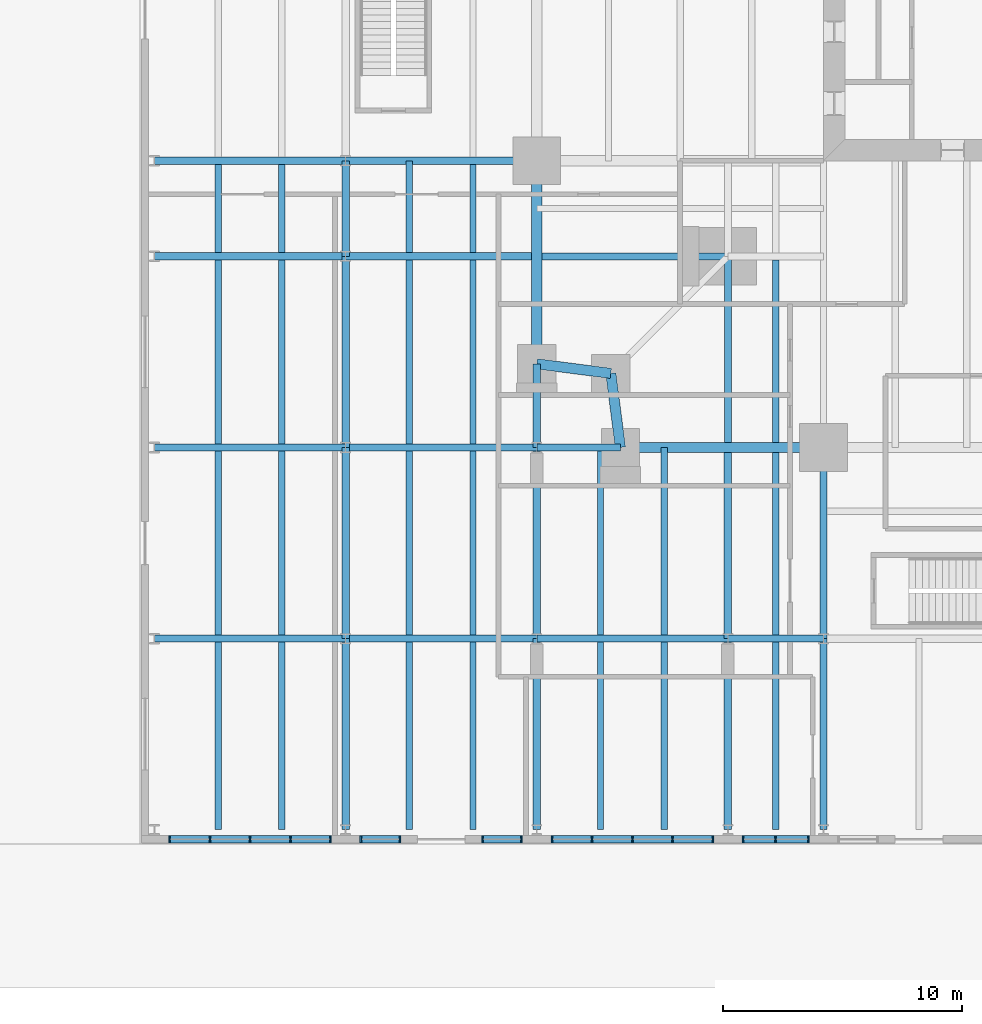
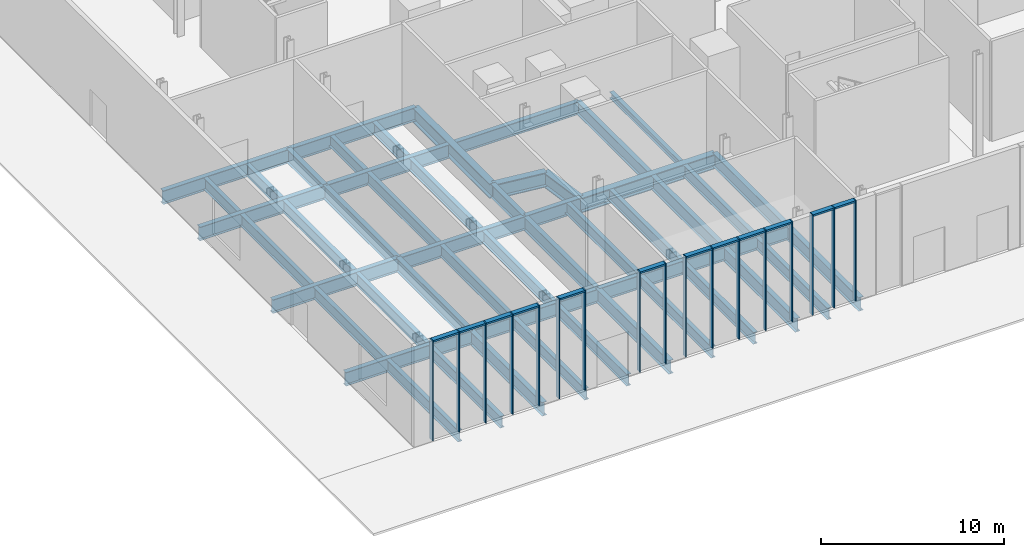
# One storey, part 4 of 20: 51 beams, 29 members, 5 elements without a shape of their own.
"""IFC4 building model written with IfcOpenShell, lengths in metres."""

import ifcopenshell
import ifcopenshell.guid

model = None  # the IFC model being written
_history = None  # IfcOwnerHistory: only IFC2X3 demands one
_inside = {}  # id of a spatial element -> (the spatial element, [elements in it])
_under = {}  # id of a project, library or spatial element -> (it, [spatial elements below it])
_declared = {}  # id of a project -> (the project, [libraries it declares])
_typed = {}  # id of a type object -> (the type object, [elements of that type])
_made_of = {}  # id of a material, layer set ... -> (it, [elements and type objects made of it])


def new_model(schema):
    """Start an empty IFC model of exactly this schema.

    Asked for "IFC4X3", IfcOpenShell would pick the latest addendum, in which some entities
    have other attributes; the version numbers below select the first issue.
    IFC2X3 requires an IfcOwnerHistory on every rooted entity: one is made here for all.
    """
    global model, _history
    if schema == "IFC4X3":
        model = ifcopenshell.file(schema_version=(4, 3, 0, 0))
    else:
        model = ifcopenshell.file(schema=schema)
    _inside.clear()
    _under.clear()
    _declared.clear()
    _typed.clear()
    _made_of.clear()
    _history = None
    if model.schema == "IFC2X3":
        org = make("IfcOrganization", Name="unknown")
        user = make(
            "IfcPersonAndOrganization",
            ThePerson=make("IfcPerson", FamilyName="unknown"),
            TheOrganization=org,
        )
        app = make(
            "IfcApplication",
            ApplicationDeveloper=org,
            Version="unknown",
            ApplicationFullName="unknown",
            ApplicationIdentifier="unknown",
        )
        _history = make(
            "IfcOwnerHistory",
            OwningUser=user,
            OwningApplication=app,
            ChangeAction="ADDED",
            CreationDate=0,
        )
    return model


def make(cls, **values):
    """One entity of the class cls with the attributes given. An attribute that is None is left unset."""
    return model.create_entity(
        cls, **{name: value for name, value in values.items() if value is not None}
    )


def rooted(cls, **values):
    """An entity with a GlobalId (a new one), such as an element, a storey or a relation."""
    return make(cls, GlobalId=ifcopenshell.guid.new(), OwnerHistory=_history, **values)


def si_unit(unit_type, name, prefix=None):
    """IfcSIUnit, for example si_unit("LENGTHUNIT", "METRE", prefix="MILLI")."""
    return make("IfcSIUnit", UnitType=unit_type, Prefix=prefix, Name=name)


def assignment(units):
    """IfcUnitAssignment: the units of a project."""
    return None if units is None else make("IfcUnitAssignment", Units=units)


def point(xyz):
    """IfcCartesianPoint."""
    return None if xyz is None else make("IfcCartesianPoint", Coordinates=xyz)


def direction(xyz):
    """IfcDirection."""
    return None if xyz is None else make("IfcDirection", DirectionRatios=xyz)


def frame(location, z_axis=None, x_axis=None):
    """IfcAxis2Placement3D, a coordinate frame: its origin and axes. An axis left out is left unset."""
    return make(
        "IfcAxis2Placement3D",
        Location=point(location),
        Axis=direction(z_axis),
        RefDirection=direction(x_axis),
    )


def frame_2d(location, x_axis=None):
    """IfcAxis2Placement2D, a coordinate frame in the plane: its origin and x axis."""
    return make(
        "IfcAxis2Placement2D", Location=point(location), RefDirection=direction(x_axis)
    )


def origin():
    """The frame at (0, 0, 0) with its axes left unset."""
    return frame((0.0, 0.0, 0.0))


def origin_2d():
    """The frame at (0, 0) in the plane with its x axis left unset."""
    return frame_2d((0.0, 0.0))


def place(relative_to, where):
    """IfcLocalPlacement: puts the frame where relative to a parent placement (None: the world)."""
    return make(
        "IfcLocalPlacement", PlacementRelTo=relative_to, RelativePlacement=where
    )


def context(
    kind, dimensions, precision=None, world=None, true_north=None, identifier=None
):
    """IfcGeometricRepresentationContext, for example the 3D "Model" context."""
    return make(
        "IfcGeometricRepresentationContext",
        ContextIdentifier=identifier,
        ContextType=kind,
        CoordinateSpaceDimension=dimensions,
        Precision=precision,
        WorldCoordinateSystem=world,
        TrueNorth=true_north,
    )


def subcontext(parent, identifier, kind, view, scale=None):
    """IfcGeometricRepresentationSubContext, for example "Body" below "Model"."""
    return make(
        "IfcGeometricRepresentationSubContext",
        ContextIdentifier=identifier,
        ContextType=kind,
        ParentContext=parent,
        TargetScale=scale,
        TargetView=view,
    )


def project(units=None, contexts=None):
    """IfcProject with its units and contexts."""
    return rooted(
        "IfcProject",
        Name="project",
        RepresentationContexts=contexts,
        UnitsInContext=assignment(units),
    )


def spatial(cls, under=None, at=None, **own):
    """A site, building, storey or space (cls), placed at a placement, below another one or the project."""
    s = rooted(cls, ObjectPlacement=at, **own)
    if under is not None:
        _under.setdefault(under.id(), (under, []))[1].append(s)
    return s


def profile(cls, at=None, kind="AREA", **sizes):
    """A parametric profile (cls). Its sizes go by their IFC names, for example OverallWidth=200.0."""
    return make(cls, ProfileType=kind, Position=at, **sizes)


def rectangle(**sizes):
    """IfcRectangleProfileDef."""
    return profile("IfcRectangleProfileDef", **sizes)


def i_section(**sizes):
    """IfcIShapeProfileDef."""
    return profile("IfcIShapeProfileDef", **sizes)


def extrude(swept, where, along, depth):
    """IfcExtrudedAreaSolid: the profile swept, set in the frame where, extruded along a direction by depth."""
    return make(
        "IfcExtrudedAreaSolid",
        SweptArea=swept,
        Position=where,
        ExtrudedDirection=direction(along),
        Depth=depth,
    )


def shape(context_of_items, identifier, shape_type, items):
    """IfcShapeRepresentation: the items that make up one representation, for example the "Body"."""
    return make(
        "IfcShapeRepresentation",
        ContextOfItems=context_of_items,
        RepresentationIdentifier=identifier,
        RepresentationType=shape_type,
        Items=items,
    )


def material(Name=None, Category=None):
    """IfcMaterial."""
    return make("IfcMaterial", Name=Name, Category=Category)


def material_profile(
    of_material, cross_section, Name=None, Category=None, Priority=None
):
    """IfcMaterialProfile: a cross section and its material."""
    return make(
        "IfcMaterialProfile",
        Name=Name,
        Material=of_material,
        Profile=cross_section,
        Priority=Priority,
        Category=Category,
    )


def profile_set(profiles, Name=None, composite=None):
    """IfcMaterialProfileSet."""
    return make(
        "IfcMaterialProfileSet",
        Name=Name,
        MaterialProfiles=profiles,
        CompositeProfile=composite,
    )


def made_of(thing, what):
    """Note that an element or type object is made of a material, layer set ...; save() writes the relation."""
    if what is not None:
        _made_of.setdefault(what.id(), (what, []))[1].append(thing)
    return thing


def type_object(cls, material=None, **own):
    """A type object (cls), such as IfcWallType, which elements share."""
    return made_of(rooted(cls, **own), material)


def element(
    cls,
    number,
    at=None,
    inside=None,
    cuts=None,
    type_object=None,
    material=None,
    context=None,
    identifier="Body",
    shape_type=None,
    held_by="IfcProductDefinitionShape",
    body=None,
    shapes=None,
    **own,
):
    """One element of the class cls, such as IfcWall. Its Tag is "e" and its number.

    at: its placement. inside: the storey or other place that contains it. cuts: it is an
    opening in that element (IfcRelVoidsElement). A single representation is given by context,
    identifier, shape_type and body (its items); several are given by shapes. held_by: the class
    of the entity that holds the representations. save() writes the other relations.
    """
    e = rooted(cls, Tag="e%d" % number, ObjectPlacement=at, **own)
    if body is not None:
        shapes = [shape(context, identifier, shape_type, body)]
    if shapes is not None:
        e.Representation = make(held_by, Representations=shapes)
    if inside is not None:
        _inside.setdefault(inside.id(), (inside, []))[1].append(e)
    if cuts is not None:
        rooted(
            "IfcRelVoidsElement", RelatingBuildingElement=cuts, RelatedOpeningElement=e
        )
    if type_object is not None:
        _typed.setdefault(type_object.id(), (type_object, []))[1].append(e)
    return made_of(e, material)


def aggregate(whole, parts):
    """IfcRelAggregates: a whole, such as a stair, and the parts it consists of."""
    return rooted("IfcRelAggregates", RelatingObject=whole, RelatedObjects=parts)


def save(model, path):
    """Write the relations noted so far, then the file.

    IfcRelAggregates (storeys below a building ...), IfcRelContainedInSpatialStructure (elements
    in a storey), IfcRelDefinesByType, IfcRelAssociatesMaterial and IfcRelDeclares: one each for
    every whole, place, type object, material and project.
    """
    for whole, parts in _under.values():
        aggregate(whole, parts)
    for where, things in _inside.values():
        rooted(
            "IfcRelContainedInSpatialStructure",
            RelatedElements=things,
            RelatingStructure=where,
        )
    for kind, things in _typed.values():
        rooted("IfcRelDefinesByType", RelatedObjects=things, RelatingType=kind)
    for what, things in _made_of.values():
        rooted("IfcRelAssociatesMaterial", RelatedObjects=things, RelatingMaterial=what)
    for by, libraries in _declared.values():
        rooted("IfcRelDeclares", RelatingContext=by, RelatedDefinitions=libraries)
    model.write(path)


model = new_model("IFC4")

# Units and contexts
model_context = context("Model", 3, precision=1e-05, world=origin(), true_north=direction((0.0, 1.0)))
body_context = subcontext(model_context, "Body", "Model", "MODEL_VIEW")
ifc_project = project(units=[si_unit("LENGTHUNIT", "METRE"), si_unit("AREAUNIT", "SQUARE_METRE"), si_unit("VOLUMEUNIT", "CUBIC_METRE"), si_unit("PLANEANGLEUNIT", "RADIAN"), si_unit("MASSUNIT", "GRAM", prefix="KILO")], contexts=[model_context])

# Site, building, storey
site_placement = place(None, origin())
site = spatial("IfcSite", under=ifc_project, at=site_placement, CompositionType="ELEMENT")
building_placement = place(site_placement, origin())
building = spatial("IfcBuilding", under=site, at=building_placement, Name="Fenwick Lantern Interchange", CompositionType="ELEMENT")
storey_placement = place(building_placement, origin())
storey = spatial("IfcBuildingStorey", under=building, at=storey_placement, Name="L00", CompositionType="ELEMENT", Elevation=0.0)

# Beams
ifc_material_1 = material(Name="Steel ASTM A992 Grade 50", Category="steel")
ifc_material_profile_1 = material_profile(ifc_material_1, i_section(OverallWidth=0.4267578125, OverallDepth=0.975341796875, WebThickness=0.031005859375, FlangeThickness=0.055908203125, at=origin_2d()), Name="W36X395")
ifc_profile_set_1 = profile_set([ifc_material_profile_1], Name="Steel ASTM A992 Grade 50")
beam_type_1 = type_object("IfcBeamType", Name="EDGE BEAM W36X395", PredefinedType="SPANDREL", material=ifc_profile_set_1)
for number, where, z_axis, x_axis, name in (
    (1, (4.5, 1.0, -0.78759765625), (1.0, 0.0, 0.0), (0.0, 1.0, 0.0), "L00/FR/S/EB1"),
    (2, (1.0, 13.0, -0.78759765625), (0.0, -1.0, 0.0), (1.0, 0.0, 0.0), "L00/FR/W/EB4"),
):
    element("IfcBeam", number, at=place(storey_placement, frame(where, z_axis=z_axis, x_axis=x_axis)), inside=storey, type_object=beam_type_1, Name=name, PredefinedType="SPANDREL", context=body_context, shape_type="SweptSolid", body=[
        extrude(i_section(OverallWidth=0.4267578125, OverallDepth=0.975341796875, WebThickness=0.031005859375, FlangeThickness=0.055908203125, at=origin_2d()), origin(), (0.0, 0.0, 1.0), 8.5),
    ])
for number, where, z_axis, x_axis, name in (
    (3, (1.0, 4.5, -0.78759765625), (0.991782342897, -0.127936641807, 0.0), (0.127936641807, 0.991782342897, 0.0), "L00/FR/W/EBR1"),
    (4, (4.10009765625, 4.10009765625, -0.78759765625), (0.127936641807, -0.991782342897, 0.0), (0.991782342897, 0.127936641807, 0.0), "L00/FR/W/EBR2"),
):
    element("IfcBeam", number, at=place(storey_placement, frame(where, z_axis=z_axis, x_axis=x_axis)), inside=storey, type_object=beam_type_1, Name=name, PredefinedType="SPANDREL", context=body_context, shape_type="SweptSolid", body=[
        extrude(i_section(OverallWidth=0.4267578125, OverallDepth=0.975341796875, WebThickness=0.031005859375, FlangeThickness=0.055908203125, at=origin_2d()), origin(), (0.0, 0.0, 1.0), 3.125732421875),
    ])
ifc_material_profile_2 = material_profile(ifc_material_1, i_section(OverallWidth=0.259033203125, OverallDepth=0.4140625, WebThickness=0.010009765625, FlangeThickness=0.016845703125, at=origin_2d()), Name="W16X67")
ifc_profile_set_2 = profile_set([ifc_material_profile_2], Name="Steel ASTM A992 Grade 50")
beam_type_2 = type_object("IfcBeamType", Name="INFILL BEAM W16X67", PredefinedType="JOIST", material=ifc_profile_set_2)
beam_1_placement = place(storey_placement, frame((11.0, 1.21337890625, -0.507080078125), z_axis=(0.0, 1.0, 0.0), x_axis=(-1.0, 0.0, 0.0)))
element("IfcBeam", 5, at=beam_1_placement, inside=storey, type_object=beam_type_2, Name="L00/FR/S/J1", PredefinedType="JOIST", context=body_context, shape_type="SweptSolid", body=[
    extrude(i_section(OverallWidth=0.259033203125, OverallDepth=0.4140625, WebThickness=0.010009765625, FlangeThickness=0.016845703125, at=origin_2d()), origin(), (0.0, 0.0, 1.0), 7.640625),
])
ifc_material_profile_3 = material_profile(ifc_material_1, i_section(OverallWidth=0.2919921875, OverallDepth=0.845703125, WebThickness=0.015380859375, FlangeThickness=0.0244140625, at=origin_2d()), Name="W33X141")
ifc_profile_set_3 = profile_set([ifc_material_profile_3], Name="Steel ASTM A992 Grade 50")
beam_type_3 = type_object("IfcBeamType", Name="MEGA COLUMN BEAM W33X141", PredefinedType="BEAM", material=ifc_profile_set_3)
for number, where, z_axis, x_axis, name in (
    (6, (9.0, 9.0, -0.722900390625), (0.0, -1.0, 0.0), (1.0, 0.0, 0.0), "L00/FR/S/MB1"),
    (7, (9.0, 9.0, -0.722900390625), (-1.0, 0.0, 0.0), (0.0, -1.0, 0.0), "L00/FR/S/MB2"),
):
    element("IfcBeam", number, at=place(storey_placement, frame(where, z_axis=z_axis, x_axis=x_axis)), inside=storey, type_object=beam_type_3, Name=name, PredefinedType="BEAM", context=body_context, shape_type="SweptSolid", body=[
        extrude(i_section(OverallWidth=0.2919921875, OverallDepth=0.845703125, WebThickness=0.015380859375, FlangeThickness=0.0244140625, at=origin_2d()), origin(), (0.0, 0.0, 1.0), 7.78662109375),
    ])
ifc_material_profile_4 = material_profile(ifc_material_1, i_section(OverallWidth=0.3046875, OverallDepth=0.911865234375, WebThickness=0.015869140625, FlangeThickness=0.02392578125, at=origin_2d()), Name="W36X150")
ifc_profile_set_4 = profile_set([ifc_material_profile_4], Name="Steel ASTM A992 Grade 50")
beam_type_4 = type_object("IfcBeamType", Name="MOMENT-CONNECTED PODIUM GIRDER W36X150", PredefinedType="BEAM", material=ifc_profile_set_4)
for number, where, z_axis, x_axis, name in (
    (8, (-15.0, -7.0, -0.755859375), (1.0, 0.0, 0.0), (0.0, 1.0, 0.0), "L00/PF/G001"),
    (9, (-7.0, -7.0, -0.755859375), (1.0, 0.0, 0.0), (0.0, 1.0, 0.0), "L00/PF/G002"),
    (10, (1.0, -7.0, -0.755859375), (1.0, 0.0, 0.0), (0.0, 1.0, 0.0), "L00/PF/G003"),
):
    element("IfcBeam", number, at=place(storey_placement, frame(where, z_axis=z_axis, x_axis=x_axis)), inside=storey, type_object=beam_type_4, Name=name, PredefinedType="BEAM", context=body_context, shape_type="SweptSolid", body=[
        extrude(i_section(OverallWidth=0.3046875, OverallDepth=0.911865234375, WebThickness=0.015869140625, FlangeThickness=0.02392578125, at=origin_2d()), origin(), (0.0, 0.0, 1.0), 8.0),
    ])
beam_2_placement = place(storey_placement, frame((9.0, -7.0, -0.755859375), z_axis=(1.0, 0.0, 0.0), x_axis=(0.0, 1.0, 0.0)))
element("IfcBeam", 11, at=beam_2_placement, inside=storey, type_object=beam_type_4, Name="L00/PF/G004", PredefinedType="BEAM", context=body_context, shape_type="SweptSolid", body=[
    extrude(i_section(OverallWidth=0.3046875, OverallDepth=0.911865234375, WebThickness=0.015869140625, FlangeThickness=0.02392578125, at=origin_2d()), origin(), (0.0, 0.0, 1.0), 4.0),
])
for number, where, z_axis, x_axis, name in (
    (12, (-15.0, 1.0, -0.755859375), (1.0, 0.0, 0.0), (0.0, 1.0, 0.0), "L00/PF/G011"),
    (13, (-7.0, 1.0, -0.755859375), (1.0, 0.0, 0.0), (0.0, 1.0, 0.0), "L00/PF/G012"),
):
    element("IfcBeam", number, at=place(storey_placement, frame(where, z_axis=z_axis, x_axis=x_axis)), inside=storey, type_object=beam_type_4, Name=name, PredefinedType="BEAM", context=body_context, shape_type="SweptSolid", body=[
        extrude(i_section(OverallWidth=0.3046875, OverallDepth=0.911865234375, WebThickness=0.015869140625, FlangeThickness=0.02392578125, at=origin_2d()), origin(), (0.0, 0.0, 1.0), 8.0),
    ])
beam_3_placement = place(storey_placement, frame((1.0, 1.0, -0.755859375), z_axis=(1.0, 0.0, 0.0), x_axis=(0.0, 1.0, 0.0)))
element("IfcBeam", 14, at=beam_3_placement, inside=storey, type_object=beam_type_4, Name="L00/PF/G013", PredefinedType="BEAM", context=body_context, shape_type="SweptSolid", body=[
    extrude(i_section(OverallWidth=0.3046875, OverallDepth=0.911865234375, WebThickness=0.015869140625, FlangeThickness=0.02392578125, at=origin_2d()), origin(), (0.0, 0.0, 1.0), 3.5),
])
beam_4_placement = place(storey_placement, frame((-15.0, 9.0, -0.755859375), z_axis=(1.0, 0.0, 0.0), x_axis=(0.0, 1.0, 0.0)))
element("IfcBeam", 15, at=beam_4_placement, inside=storey, type_object=beam_type_4, Name="L00/PF/G017", PredefinedType="BEAM", context=body_context, shape_type="SweptSolid", body=[
    extrude(i_section(OverallWidth=0.3046875, OverallDepth=0.911865234375, WebThickness=0.015869140625, FlangeThickness=0.02392578125, at=origin_2d()), origin(), (0.0, 0.0, 1.0), 8.0),
])
beam_5_placement = place(storey_placement, frame((-7.0, 9.0, -0.755859375), z_axis=(1.0, 0.0, 0.0), x_axis=(0.0, 1.0, 0.0)))
element("IfcBeam", 16, at=beam_5_placement, inside=storey, type_object=beam_type_4, Name="L00/PF/G018", PredefinedType="BEAM", context=body_context, shape_type="SweptSolid", body=[
    extrude(i_section(OverallWidth=0.3046875, OverallDepth=0.911865234375, WebThickness=0.015869140625, FlangeThickness=0.02392578125, at=origin_2d()), origin(), (0.0, 0.0, 1.0), 7.78662109375),
])
for number, where, z_axis, x_axis, name in (
    (17, (-15.0, 13.0, -0.755859375), (1.0, 0.0, 0.0), (0.0, 1.0, 0.0), "L00/PF/G021"),
    (18, (-7.0, 13.0, -0.755859375), (1.0, 0.0, 0.0), (0.0, 1.0, 0.0), "L00/PF/G022"),
    (19, (-7.0, -15.0, -0.755859375), (0.0, 1.0, 0.0), (-1.0, 0.0, 0.0), "L00/PF/G053"),
    (20, (-7.0, -7.0, -0.755859375), (0.0, 1.0, 0.0), (-1.0, 0.0, 0.0), "L00/PF/G054"),
    (21, (-7.0, 1.0, -0.755859375), (0.0, 1.0, 0.0), (-1.0, 0.0, 0.0), "L00/PF/G055"),
):
    element("IfcBeam", number, at=place(storey_placement, frame(where, z_axis=z_axis, x_axis=x_axis)), inside=storey, type_object=beam_type_4, Name=name, PredefinedType="BEAM", context=body_context, shape_type="SweptSolid", body=[
        extrude(i_section(OverallWidth=0.3046875, OverallDepth=0.911865234375, WebThickness=0.015869140625, FlangeThickness=0.02392578125, at=origin_2d()), origin(), (0.0, 0.0, 1.0), 8.0),
    ])
beam_6_placement = place(storey_placement, frame((-7.0, 9.0, -0.755859375), z_axis=(0.0, 1.0, 0.0), x_axis=(-1.0, 0.0, 0.0)))
element("IfcBeam", 22, at=beam_6_placement, inside=storey, type_object=beam_type_4, Name="L00/PF/G056", PredefinedType="BEAM", context=body_context, shape_type="SweptSolid", body=[
    extrude(i_section(OverallWidth=0.3046875, OverallDepth=0.911865234375, WebThickness=0.015869140625, FlangeThickness=0.02392578125, at=origin_2d()), origin(), (0.0, 0.0, 1.0), 4.0),
])
for number, where, z_axis, x_axis, name in (
    (23, (1.0, -15.0, -0.755859375), (0.0, 1.0, 0.0), (-1.0, 0.0, 0.0), "L00/PF/G063"),
    (24, (1.0, -7.0, -0.755859375), (0.0, 1.0, 0.0), (-1.0, 0.0, 0.0), "L00/PF/G064"),
):
    element("IfcBeam", number, at=place(storey_placement, frame(where, z_axis=z_axis, x_axis=x_axis)), inside=storey, type_object=beam_type_4, Name=name, PredefinedType="BEAM", context=body_context, shape_type="SweptSolid", body=[
        extrude(i_section(OverallWidth=0.3046875, OverallDepth=0.911865234375, WebThickness=0.015869140625, FlangeThickness=0.02392578125, at=origin_2d()), origin(), (0.0, 0.0, 1.0), 8.0),
    ])
beam_7_placement = place(storey_placement, frame((1.0, 1.0, -0.755859375), z_axis=(0.0, 1.0, 0.0), x_axis=(-1.0, 0.0, 0.0)))
element("IfcBeam", 25, at=beam_7_placement, inside=storey, type_object=beam_type_4, Name="L00/PF/G065", PredefinedType="BEAM", context=body_context, shape_type="SweptSolid", body=[
    extrude(i_section(OverallWidth=0.3046875, OverallDepth=0.911865234375, WebThickness=0.015869140625, FlangeThickness=0.02392578125, at=origin_2d()), origin(), (0.0, 0.0, 1.0), 3.5),
])
beam_8_placement = place(storey_placement, frame((9.0, -15.0, -0.755859375), z_axis=(0.0, 1.0, 0.0), x_axis=(-1.0, 0.0, 0.0)))
element("IfcBeam", 26, at=beam_8_placement, inside=storey, type_object=beam_type_4, Name="L00/PF/G069", PredefinedType="BEAM", context=body_context, shape_type="SweptSolid", body=[
    extrude(i_section(OverallWidth=0.3046875, OverallDepth=0.911865234375, WebThickness=0.015869140625, FlangeThickness=0.02392578125, at=origin_2d()), origin(), (0.0, 0.0, 1.0), 8.0),
])
beam_9_placement = place(storey_placement, frame((9.0, -7.0, -0.755859375), z_axis=(0.0, 1.0, 0.0), x_axis=(-1.0, 0.0, 0.0)))
element("IfcBeam", 27, at=beam_9_placement, inside=storey, type_object=beam_type_4, Name="L00/PF/G070", PredefinedType="BEAM", context=body_context, shape_type="SweptSolid", body=[
    extrude(i_section(OverallWidth=0.3046875, OverallDepth=0.911865234375, WebThickness=0.015869140625, FlangeThickness=0.02392578125, at=origin_2d()), origin(), (0.0, 0.0, 1.0), 7.78662109375),
])
for number, where, z_axis, x_axis, name in (
    (28, (13.0, -15.0, -0.755859375), (0.0, 1.0, 0.0), (-1.0, 0.0, 0.0), "L00/PF/G073"),
    (29, (13.0, -7.0, -0.755859375), (0.0, 1.0, 0.0), (-1.0, 0.0, 0.0), "L00/PF/G074"),
):
    element("IfcBeam", number, at=place(storey_placement, frame(where, z_axis=z_axis, x_axis=x_axis)), inside=storey, type_object=beam_type_4, Name=name, PredefinedType="BEAM", context=body_context, shape_type="SweptSolid", body=[
        extrude(i_section(OverallWidth=0.3046875, OverallDepth=0.911865234375, WebThickness=0.015869140625, FlangeThickness=0.02392578125, at=origin_2d()), origin(), (0.0, 0.0, 1.0), 8.0),
    ])
ifc_material_profile_5 = material_profile(ifc_material_1, i_section(OverallWidth=0.2666015625, OverallDepth=0.77978515625, WebThickness=0.0166015625, FlangeThickness=0.030029296875, at=origin_2d()), Name="W30X148")
ifc_profile_set_5 = profile_set([ifc_material_profile_5], Name="Steel ASTM A992 Grade 50")
beam_type_5 = type_object("IfcBeamType", Name="PODIUM BEAM W30X148", PredefinedType="JOIST", material=ifc_profile_set_5)
for number, where, z_axis, x_axis, name in (
    (30, (-12.333251953125, -15.0, -0.68994140625), (0.0, 1.0, 0.0), (-1.0, 0.0, 0.0), "L00/PF/J105"),
    (31, (-9.666748046875, -15.0, -0.68994140625), (0.0, 1.0, 0.0), (-1.0, 0.0, 0.0), "L00/PF/J106"),
):
    element("IfcBeam", number, at=place(storey_placement, frame(where, z_axis=z_axis, x_axis=x_axis)), inside=storey, type_object=beam_type_5, Name=name, PredefinedType="JOIST", context=body_context, shape_type="SweptSolid", body=[
        extrude(i_section(OverallWidth=0.2666015625, OverallDepth=0.77978515625, WebThickness=0.0166015625, FlangeThickness=0.030029296875, at=origin_2d()), origin(), (0.0, 0.0, 1.0), 7.84765625),
    ])
for number, where, z_axis, x_axis, name in (
    (32, (-12.333251953125, -6.84765625, -0.68994140625), (0.0, 1.0, 0.0), (-1.0, 0.0, 0.0), "L00/PF/J107"),
    (33, (-9.666748046875, -6.84765625, -0.68994140625), (0.0, 1.0, 0.0), (-1.0, 0.0, 0.0), "L00/PF/J108"),
    (34, (-12.333251953125, 1.15234375, -0.68994140625), (0.0, 1.0, 0.0), (-1.0, 0.0, 0.0), "L00/PF/J109"),
    (35, (-9.666748046875, 1.15234375, -0.68994140625), (0.0, 1.0, 0.0), (-1.0, 0.0, 0.0), "L00/PF/J110"),
):
    element("IfcBeam", number, at=place(storey_placement, frame(where, z_axis=z_axis, x_axis=x_axis)), inside=storey, type_object=beam_type_5, Name=name, PredefinedType="JOIST", context=body_context, shape_type="SweptSolid", body=[
        extrude(i_section(OverallWidth=0.2666015625, OverallDepth=0.77978515625, WebThickness=0.0166015625, FlangeThickness=0.030029296875, at=origin_2d()), origin(), (0.0, 0.0, 1.0), 7.6953125),
    ])
for number, where, z_axis, x_axis, name in (
    (36, (-12.333251953125, 9.15234375, -0.68994140625), (0.0, 1.0, 0.0), (-1.0, 0.0, 0.0), "L00/PF/J111"),
    (37, (-9.666748046875, 9.15234375, -0.68994140625), (0.0, 1.0, 0.0), (-1.0, 0.0, 0.0), "L00/PF/J112"),
):
    element("IfcBeam", number, at=place(storey_placement, frame(where, z_axis=z_axis, x_axis=x_axis)), inside=storey, type_object=beam_type_5, Name=name, PredefinedType="JOIST", context=body_context, shape_type="SweptSolid", body=[
        extrude(i_section(OverallWidth=0.2666015625, OverallDepth=0.77978515625, WebThickness=0.0166015625, FlangeThickness=0.030029296875, at=origin_2d()), origin(), (0.0, 0.0, 1.0), 3.6953125),
    ])
for number, where, z_axis, x_axis, name in (
    (38, (-4.333251953125, -15.0, -0.68994140625), (0.0, 1.0, 0.0), (-1.0, 0.0, 0.0), "L00/PF/J125"),
    (39, (-1.666748046875, -15.0, -0.68994140625), (0.0, 1.0, 0.0), (-1.0, 0.0, 0.0), "L00/PF/J126"),
):
    element("IfcBeam", number, at=place(storey_placement, frame(where, z_axis=z_axis, x_axis=x_axis)), inside=storey, type_object=beam_type_5, Name=name, PredefinedType="JOIST", context=body_context, shape_type="SweptSolid", body=[
        extrude(i_section(OverallWidth=0.2666015625, OverallDepth=0.77978515625, WebThickness=0.0166015625, FlangeThickness=0.030029296875, at=origin_2d()), origin(), (0.0, 0.0, 1.0), 7.84765625),
    ])
for number, where, z_axis, x_axis, name in (
    (40, (-4.333251953125, -6.84765625, -0.68994140625), (0.0, 1.0, 0.0), (-1.0, 0.0, 0.0), "L00/PF/J127"),
    (41, (-1.666748046875, -6.84765625, -0.68994140625), (0.0, 1.0, 0.0), (-1.0, 0.0, 0.0), "L00/PF/J128"),
    (42, (-4.333251953125, 1.15234375, -0.68994140625), (0.0, 1.0, 0.0), (-1.0, 0.0, 0.0), "L00/PF/J129"),
    (43, (-1.666748046875, 1.15234375, -0.68994140625), (0.0, 1.0, 0.0), (-1.0, 0.0, 0.0), "L00/PF/J130"),
):
    element("IfcBeam", number, at=place(storey_placement, frame(where, z_axis=z_axis, x_axis=x_axis)), inside=storey, type_object=beam_type_5, Name=name, PredefinedType="JOIST", context=body_context, shape_type="SweptSolid", body=[
        extrude(i_section(OverallWidth=0.2666015625, OverallDepth=0.77978515625, WebThickness=0.0166015625, FlangeThickness=0.030029296875, at=origin_2d()), origin(), (0.0, 0.0, 1.0), 7.6953125),
    ])
beam_10_placement = place(storey_placement, frame((-4.333251953125, 9.15234375, -0.68994140625), z_axis=(0.0, 1.0, 0.0), x_axis=(-1.0, 0.0, 0.0)))
element("IfcBeam", 44, at=beam_10_placement, inside=storey, type_object=beam_type_5, Name="L00/PF/J131", PredefinedType="JOIST", context=body_context, shape_type="SweptSolid", body=[
    extrude(i_section(OverallWidth=0.2666015625, OverallDepth=0.77978515625, WebThickness=0.0166015625, FlangeThickness=0.030029296875, at=origin_2d()), origin(), (0.0, 0.0, 1.0), 3.84765625),
])
beam_11_placement = place(storey_placement, frame((-1.666748046875, 9.15234375, -0.68994140625), z_axis=(0.0, 1.0, 0.0), x_axis=(-1.0, 0.0, 0.0)))
element("IfcBeam", 45, at=beam_11_placement, inside=storey, type_object=beam_type_5, Name="L00/PF/J132", PredefinedType="JOIST", context=body_context, shape_type="SweptSolid", body=[
    extrude(i_section(OverallWidth=0.2666015625, OverallDepth=0.77978515625, WebThickness=0.0166015625, FlangeThickness=0.030029296875, at=origin_2d()), origin(), (0.0, 0.0, 1.0), 3.6953125),
])
for number, where, z_axis, x_axis, name in (
    (46, (3.666748046875, -15.0, -0.68994140625), (0.0, 1.0, 0.0), (-1.0, 0.0, 0.0), "L00/PF/J143"),
    (47, (6.333251953125, -15.0, -0.68994140625), (0.0, 1.0, 0.0), (-1.0, 0.0, 0.0), "L00/PF/J144"),
    (48, (3.666748046875, -6.84765625, -0.68994140625), (0.0, 1.0, 0.0), (-1.0, 0.0, 0.0), "L00/PF/J145"),
    (49, (6.333251953125, -6.84765625, -0.68994140625), (0.0, 1.0, 0.0), (-1.0, 0.0, 0.0), "L00/PF/J146"),
    (50, (11.0, -15.0, -0.68994140625), (0.0, 1.0, 0.0), (-1.0, 0.0, 0.0), "L00/PF/J151"),
):
    element("IfcBeam", number, at=place(storey_placement, frame(where, z_axis=z_axis, x_axis=x_axis)), inside=storey, type_object=beam_type_5, Name=name, PredefinedType="JOIST", context=body_context, shape_type="SweptSolid", body=[
        extrude(i_section(OverallWidth=0.2666015625, OverallDepth=0.77978515625, WebThickness=0.0166015625, FlangeThickness=0.030029296875, at=origin_2d()), origin(), (0.0, 0.0, 1.0), 7.84765625),
    ])
beam_12_placement = place(storey_placement, frame((11.0, -6.84765625, -0.68994140625), z_axis=(0.0, 1.0, 0.0), x_axis=(-1.0, 0.0, 0.0)))
element("IfcBeam", 51, at=beam_12_placement, inside=storey, type_object=beam_type_5, Name="L00/PF/J152", PredefinedType="JOIST", context=body_context, shape_type="SweptSolid", body=[
    extrude(i_section(OverallWidth=0.2666015625, OverallDepth=0.77978515625, WebThickness=0.0166015625, FlangeThickness=0.030029296875, at=origin_2d()), origin(), (0.0, 0.0, 1.0), 7.63427734375),
])

# Curtain wall, members
ifc_material_2 = material(Name="Aluminium curtain wall frame", Category="aluminium")
curtain_wall_type = type_object("IfcCurtainWallType", Name="STOREFRONT GLAZING", PredefinedType="USERDEFINED", material=ifc_material_2)
curtain_wall_1_placement = place(storey_placement, origin())
curtain_wall_1 = element("IfcCurtainWall", 52, at=curtain_wall_1_placement, inside=storey, type_object=curtain_wall_type, Name="Storefront glazing S01", ObjectType="STOREFRONT GLAZING", PredefinedType="USERDEFINED")
ifc_material_3 = material(Name="Aluminium extrusion", Category="aluminium")
ifc_material_profile_6 = material_profile(ifc_material_3, rectangle(XDim=0.300048828125, YDim=0.06494140625, at=origin_2d()), Name="STOREFRONT GLAZING MULLION 65 X 300")
ifc_profile_set_6 = profile_set([ifc_material_profile_6], Name="Aluminium extrusion")
member_type_1 = type_object("IfcMemberType", Name="STOREFRONT GLAZING MULLION 65 X 300", PredefinedType="MULLION", material=ifc_profile_set_6)
member_1_placement = place(storey_placement, frame((-14.367431640625, -15.39990234375, 0.0), z_axis=(0.0, 0.0, 1.0), x_axis=(0.0, 1.0, 0.0)))
member_1 = element("IfcMember", 53, at=member_1_placement, type_object=member_type_1, Name="L00/CW/S01/M00", PredefinedType="MULLION", context=body_context, shape_type="SweptSolid", body=[
    extrude(rectangle(XDim=0.300048828125, YDim=0.06494140625, at=origin_2d()), origin(), (0.0, 0.0, 1.0), 6.699951171875),
])
member_2_placement = place(storey_placement, frame((-12.683837890625, -15.39990234375, 0.0), z_axis=(0.0, 0.0, 1.0), x_axis=(0.0, 1.0, 0.0)))
member_2 = element("IfcMember", 54, at=member_2_placement, type_object=member_type_1, Name="L00/CW/S01/M01", PredefinedType="MULLION", context=body_context, shape_type="SweptSolid", body=[
    extrude(rectangle(XDim=0.300048828125, YDim=0.06494140625, at=origin_2d()), origin(), (0.0, 0.0, 1.0), 6.699951171875),
])
member_3_placement = place(storey_placement, frame((-11.0, -15.39990234375, 0.0), z_axis=(0.0, 0.0, 1.0), x_axis=(0.0, 1.0, 0.0)))
member_3 = element("IfcMember", 55, at=member_3_placement, type_object=member_type_1, Name="L00/CW/S01/M02", PredefinedType="MULLION", context=body_context, shape_type="SweptSolid", body=[
    extrude(rectangle(XDim=0.300048828125, YDim=0.06494140625, at=origin_2d()), origin(), (0.0, 0.0, 1.0), 6.699951171875),
])
member_4_placement = place(storey_placement, frame((-9.316162109375, -15.39990234375, 0.0), z_axis=(0.0, 0.0, 1.0), x_axis=(0.0, 1.0, 0.0)))
member_4 = element("IfcMember", 56, at=member_4_placement, type_object=member_type_1, Name="L00/CW/S01/M03", PredefinedType="MULLION", context=body_context, shape_type="SweptSolid", body=[
    extrude(rectangle(XDim=0.300048828125, YDim=0.06494140625, at=origin_2d()), origin(), (0.0, 0.0, 1.0), 6.699951171875),
])
member_5_placement = place(storey_placement, frame((-7.632568359375, -15.39990234375, 0.0), z_axis=(0.0, 0.0, 1.0), x_axis=(0.0, 1.0, 0.0)))
member_5 = element("IfcMember", 57, at=member_5_placement, type_object=member_type_1, Name="L00/CW/S01/M04", PredefinedType="MULLION", context=body_context, shape_type="SweptSolid", body=[
    extrude(rectangle(XDim=0.300048828125, YDim=0.06494140625, at=origin_2d()), origin(), (0.0, 0.0, 1.0), 6.699951171875),
])

curtain_wall_2_placement = place(storey_placement, origin())
curtain_wall_2 = element("IfcCurtainWall", 58, at=curtain_wall_2_placement, inside=storey, type_object=curtain_wall_type, Name="Storefront glazing S02", ObjectType="STOREFRONT GLAZING", PredefinedType="USERDEFINED")
member_6_placement = place(storey_placement, frame((-6.367431640625, -15.39990234375, 0.0), z_axis=(0.0, 0.0, 1.0), x_axis=(0.0, 1.0, 0.0)))
member_6 = element("IfcMember", 59, at=member_6_placement, type_object=member_type_1, Name="L00/CW/S02/M00", PredefinedType="MULLION", context=body_context, shape_type="SweptSolid", body=[
    extrude(rectangle(XDim=0.300048828125, YDim=0.06494140625, at=origin_2d()), origin(), (0.0, 0.0, 1.0), 6.699951171875),
])
member_7_placement = place(storey_placement, frame((-4.732421875, -15.39990234375, 0.0), z_axis=(0.0, 0.0, 1.0), x_axis=(0.0, 1.0, 0.0)))
member_7 = element("IfcMember", 60, at=member_7_placement, type_object=member_type_1, Name="L00/CW/S02/M01", PredefinedType="MULLION", context=body_context, shape_type="SweptSolid", body=[
    extrude(rectangle(XDim=0.300048828125, YDim=0.06494140625, at=origin_2d()), origin(), (0.0, 0.0, 1.0), 6.699951171875),
])

curtain_wall_3_placement = place(storey_placement, origin())
curtain_wall_3 = element("IfcCurtainWall", 61, at=curtain_wall_3_placement, inside=storey, type_object=curtain_wall_type, Name="Storefront glazing S03", ObjectType="STOREFRONT GLAZING", PredefinedType="USERDEFINED")
member_8_placement = place(storey_placement, frame((-1.267578125, -15.39990234375, 0.0), z_axis=(0.0, 0.0, 1.0), x_axis=(0.0, 1.0, 0.0)))
member_8 = element("IfcMember", 62, at=member_8_placement, type_object=member_type_1, Name="L00/CW/S03/M00", PredefinedType="MULLION", context=body_context, shape_type="SweptSolid", body=[
    extrude(rectangle(XDim=0.300048828125, YDim=0.06494140625, at=origin_2d()), origin(), (0.0, 0.0, 1.0), 6.699951171875),
])
member_9_placement = place(storey_placement, frame((0.367431640625, -15.39990234375, 0.0), z_axis=(0.0, 0.0, 1.0), x_axis=(0.0, 1.0, 0.0)))
member_9 = element("IfcMember", 63, at=member_9_placement, type_object=member_type_1, Name="L00/CW/S03/M01", PredefinedType="MULLION", context=body_context, shape_type="SweptSolid", body=[
    extrude(rectangle(XDim=0.300048828125, YDim=0.06494140625, at=origin_2d()), origin(), (0.0, 0.0, 1.0), 6.699951171875),
])

curtain_wall_4_placement = place(storey_placement, origin())
curtain_wall_4 = element("IfcCurtainWall", 64, at=curtain_wall_4_placement, inside=storey, type_object=curtain_wall_type, Name="Storefront glazing S04", ObjectType="STOREFRONT GLAZING", PredefinedType="USERDEFINED")
member_10_placement = place(storey_placement, frame((1.632568359375, -15.39990234375, 0.0), z_axis=(0.0, 0.0, 1.0), x_axis=(0.0, 1.0, 0.0)))
member_10 = element("IfcMember", 65, at=member_10_placement, type_object=member_type_1, Name="L00/CW/S04/M00", PredefinedType="MULLION", context=body_context, shape_type="SweptSolid", body=[
    extrude(rectangle(XDim=0.300048828125, YDim=0.06494140625, at=origin_2d()), origin(), (0.0, 0.0, 1.0), 6.699951171875),
])
member_11_placement = place(storey_placement, frame((3.316162109375, -15.39990234375, 0.0), z_axis=(0.0, 0.0, 1.0), x_axis=(0.0, 1.0, 0.0)))
member_11 = element("IfcMember", 66, at=member_11_placement, type_object=member_type_1, Name="L00/CW/S04/M01", PredefinedType="MULLION", context=body_context, shape_type="SweptSolid", body=[
    extrude(rectangle(XDim=0.300048828125, YDim=0.06494140625, at=origin_2d()), origin(), (0.0, 0.0, 1.0), 6.699951171875),
])
member_12_placement = place(storey_placement, frame((5.0, -15.39990234375, 0.0), z_axis=(0.0, 0.0, 1.0), x_axis=(0.0, 1.0, 0.0)))
member_12 = element("IfcMember", 67, at=member_12_placement, type_object=member_type_1, Name="L00/CW/S04/M02", PredefinedType="MULLION", context=body_context, shape_type="SweptSolid", body=[
    extrude(rectangle(XDim=0.300048828125, YDim=0.06494140625, at=origin_2d()), origin(), (0.0, 0.0, 1.0), 6.699951171875),
])
member_13_placement = place(storey_placement, frame((6.683837890625, -15.39990234375, 0.0), z_axis=(0.0, 0.0, 1.0), x_axis=(0.0, 1.0, 0.0)))
member_13 = element("IfcMember", 68, at=member_13_placement, type_object=member_type_1, Name="L00/CW/S04/M03", PredefinedType="MULLION", context=body_context, shape_type="SweptSolid", body=[
    extrude(rectangle(XDim=0.300048828125, YDim=0.06494140625, at=origin_2d()), origin(), (0.0, 0.0, 1.0), 6.699951171875),
])
member_14_placement = place(storey_placement, frame((8.367431640625, -15.39990234375, 0.0), z_axis=(0.0, 0.0, 1.0), x_axis=(0.0, 1.0, 0.0)))
member_14 = element("IfcMember", 69, at=member_14_placement, type_object=member_type_1, Name="L00/CW/S04/M04", PredefinedType="MULLION", context=body_context, shape_type="SweptSolid", body=[
    extrude(rectangle(XDim=0.300048828125, YDim=0.06494140625, at=origin_2d()), origin(), (0.0, 0.0, 1.0), 6.699951171875),
])

curtain_wall_5_placement = place(storey_placement, origin())
curtain_wall_5 = element("IfcCurtainWall", 70, at=curtain_wall_5_placement, inside=storey, type_object=curtain_wall_type, Name="Storefront glazing S05", ObjectType="STOREFRONT GLAZING", PredefinedType="USERDEFINED")
member_15_placement = place(storey_placement, frame((9.632568359375, -15.39990234375, 0.0), z_axis=(0.0, 0.0, 1.0), x_axis=(0.0, 1.0, 0.0)))
member_15 = element("IfcMember", 71, at=member_15_placement, type_object=member_type_1, Name="L00/CW/S05/M00", PredefinedType="MULLION", context=body_context, shape_type="SweptSolid", body=[
    extrude(rectangle(XDim=0.300048828125, YDim=0.06494140625, at=origin_2d()), origin(), (0.0, 0.0, 1.0), 6.699951171875),
])
member_16_placement = place(storey_placement, frame((11.0, -15.39990234375, 0.0), z_axis=(0.0, 0.0, 1.0), x_axis=(0.0, 1.0, 0.0)))
member_16 = element("IfcMember", 72, at=member_16_placement, type_object=member_type_1, Name="L00/CW/S05/M01", PredefinedType="MULLION", context=body_context, shape_type="SweptSolid", body=[
    extrude(rectangle(XDim=0.300048828125, YDim=0.06494140625, at=origin_2d()), origin(), (0.0, 0.0, 1.0), 6.699951171875),
])
member_17_placement = place(storey_placement, frame((12.367431640625, -15.39990234375, 0.0), z_axis=(0.0, 0.0, 1.0), x_axis=(0.0, 1.0, 0.0)))
member_17 = element("IfcMember", 73, at=member_17_placement, type_object=member_type_1, Name="L00/CW/S05/M02", PredefinedType="MULLION", context=body_context, shape_type="SweptSolid", body=[
    extrude(rectangle(XDim=0.300048828125, YDim=0.06494140625, at=origin_2d()), origin(), (0.0, 0.0, 1.0), 6.699951171875),
])

# Member
ifc_material_profile_7 = material_profile(ifc_material_3, rectangle(XDim=0.300048828125, YDim=0.1201171875, at=origin_2d()), Name="STOREFRONT GLAZING TRANSOM 120 X 300")
ifc_profile_set_7 = profile_set([ifc_material_profile_7], Name="Aluminium extrusion")
member_type_2 = type_object("IfcMemberType", Name="STOREFRONT GLAZING TRANSOM 120 X 300", PredefinedType="MULLION", material=ifc_profile_set_7)
member_18_placement = place(storey_placement, frame((-14.3349609375, -15.39990234375, 6.639892578125), z_axis=(1.0, 0.0, 0.0), x_axis=(0.0, 1.0, 0.0)))
member_18 = element("IfcMember", 74, at=member_18_placement, type_object=member_type_2, Name="L00/CW/S01/T00", PredefinedType="MULLION", context=body_context, shape_type="SweptSolid", body=[
    extrude(rectangle(XDim=0.300048828125, YDim=0.1201171875, at=origin_2d()), origin(), (0.0, 0.0, 1.0), 1.61865234375),
])

member_19_placement = place(storey_placement, frame((-12.6513671875, -15.39990234375, 6.639892578125), z_axis=(1.0, 0.0, 0.0), x_axis=(0.0, 1.0, 0.0)))
member_19 = element("IfcMember", 75, at=member_19_placement, type_object=member_type_2, Name="L00/CW/S01/T01", PredefinedType="MULLION", context=body_context, shape_type="SweptSolid", body=[
    extrude(rectangle(XDim=0.300048828125, YDim=0.1201171875, at=origin_2d()), origin(), (0.0, 0.0, 1.0), 1.618896484375),
])

member_20_placement = place(storey_placement, frame((-10.967529296875, -15.39990234375, 6.639892578125), z_axis=(1.0, 0.0, 0.0), x_axis=(0.0, 1.0, 0.0)))
member_20 = element("IfcMember", 76, at=member_20_placement, type_object=member_type_2, Name="L00/CW/S01/T02", PredefinedType="MULLION", context=body_context, shape_type="SweptSolid", body=[
    extrude(rectangle(XDim=0.300048828125, YDim=0.1201171875, at=origin_2d()), origin(), (0.0, 0.0, 1.0), 1.618896484375),
])

member_21_placement = place(storey_placement, frame((-9.28369140625, -15.39990234375, 6.639892578125), z_axis=(1.0, 0.0, 0.0), x_axis=(0.0, 1.0, 0.0)))
member_21 = element("IfcMember", 77, at=member_21_placement, type_object=member_type_2, Name="L00/CW/S01/T03", PredefinedType="MULLION", context=body_context, shape_type="SweptSolid", body=[
    extrude(rectangle(XDim=0.300048828125, YDim=0.1201171875, at=origin_2d()), origin(), (0.0, 0.0, 1.0), 1.61865234375),
])

aggregate(curtain_wall_1, [member_1, member_2, member_3, member_4, member_5, member_18, member_19, member_20, member_21])

member_22_placement = place(storey_placement, frame((-6.3349609375, -15.39990234375, 6.639892578125), z_axis=(1.0, 0.0, 0.0), x_axis=(0.0, 1.0, 0.0)))
member_22 = element("IfcMember", 78, at=member_22_placement, type_object=member_type_2, Name="L00/CW/S02/T00", PredefinedType="MULLION", context=body_context, shape_type="SweptSolid", body=[
    extrude(rectangle(XDim=0.300048828125, YDim=0.1201171875, at=origin_2d()), origin(), (0.0, 0.0, 1.0), 1.570068359375),
])

aggregate(curtain_wall_2, [member_6, member_7, member_22])

member_23_placement = place(storey_placement, frame((-1.235107421875, -15.39990234375, 6.639892578125), z_axis=(1.0, 0.0, 0.0), x_axis=(0.0, 1.0, 0.0)))
member_23 = element("IfcMember", 79, at=member_23_placement, type_object=member_type_2, Name="L00/CW/S03/T00", PredefinedType="MULLION", context=body_context, shape_type="SweptSolid", body=[
    extrude(rectangle(XDim=0.300048828125, YDim=0.1201171875, at=origin_2d()), origin(), (0.0, 0.0, 1.0), 1.570068359375),
])

aggregate(curtain_wall_3, [member_8, member_9, member_23])

member_24_placement = place(storey_placement, frame((1.6650390625, -15.39990234375, 6.639892578125), z_axis=(1.0, 0.0, 0.0), x_axis=(0.0, 1.0, 0.0)))
member_24 = element("IfcMember", 80, at=member_24_placement, type_object=member_type_2, Name="L00/CW/S04/T00", PredefinedType="MULLION", context=body_context, shape_type="SweptSolid", body=[
    extrude(rectangle(XDim=0.300048828125, YDim=0.1201171875, at=origin_2d()), origin(), (0.0, 0.0, 1.0), 1.61865234375),
])

member_25_placement = place(storey_placement, frame((3.3486328125, -15.39990234375, 6.639892578125), z_axis=(1.0, 0.0, 0.0), x_axis=(0.0, 1.0, 0.0)))
member_25 = element("IfcMember", 81, at=member_25_placement, type_object=member_type_2, Name="L00/CW/S04/T01", PredefinedType="MULLION", context=body_context, shape_type="SweptSolid", body=[
    extrude(rectangle(XDim=0.300048828125, YDim=0.1201171875, at=origin_2d()), origin(), (0.0, 0.0, 1.0), 1.618896484375),
])

member_26_placement = place(storey_placement, frame((5.032470703125, -15.39990234375, 6.639892578125), z_axis=(1.0, 0.0, 0.0), x_axis=(0.0, 1.0, 0.0)))
member_26 = element("IfcMember", 82, at=member_26_placement, type_object=member_type_2, Name="L00/CW/S04/T02", PredefinedType="MULLION", context=body_context, shape_type="SweptSolid", body=[
    extrude(rectangle(XDim=0.300048828125, YDim=0.1201171875, at=origin_2d()), origin(), (0.0, 0.0, 1.0), 1.618896484375),
])

member_27_placement = place(storey_placement, frame((6.71630859375, -15.39990234375, 6.639892578125), z_axis=(1.0, 0.0, 0.0), x_axis=(0.0, 1.0, 0.0)))
member_27 = element("IfcMember", 83, at=member_27_placement, type_object=member_type_2, Name="L00/CW/S04/T03", PredefinedType="MULLION", context=body_context, shape_type="SweptSolid", body=[
    extrude(rectangle(XDim=0.300048828125, YDim=0.1201171875, at=origin_2d()), origin(), (0.0, 0.0, 1.0), 1.61865234375),
])

aggregate(curtain_wall_4, [member_10, member_11, member_12, member_13, member_14, member_24, member_25, member_26, member_27])

member_28_placement = place(storey_placement, frame((9.6650390625, -15.39990234375, 6.639892578125), z_axis=(1.0, 0.0, 0.0), x_axis=(0.0, 1.0, 0.0)))
member_28 = element("IfcMember", 84, at=member_28_placement, type_object=member_type_2, Name="L00/CW/S05/T00", PredefinedType="MULLION", context=body_context, shape_type="SweptSolid", body=[
    extrude(rectangle(XDim=0.300048828125, YDim=0.1201171875, at=origin_2d()), origin(), (0.0, 0.0, 1.0), 1.302490234375),
])

member_29_placement = place(storey_placement, frame((11.032470703125, -15.39990234375, 6.639892578125), z_axis=(1.0, 0.0, 0.0), x_axis=(0.0, 1.0, 0.0)))
member_29 = element("IfcMember", 85, at=member_29_placement, type_object=member_type_2, Name="L00/CW/S05/T01", PredefinedType="MULLION", context=body_context, shape_type="SweptSolid", body=[
    extrude(rectangle(XDim=0.300048828125, YDim=0.1201171875, at=origin_2d()), origin(), (0.0, 0.0, 1.0), 1.302490234375),
])

aggregate(curtain_wall_5, [member_15, member_16, member_17, member_28, member_29])

save(model, "model.ifc")
